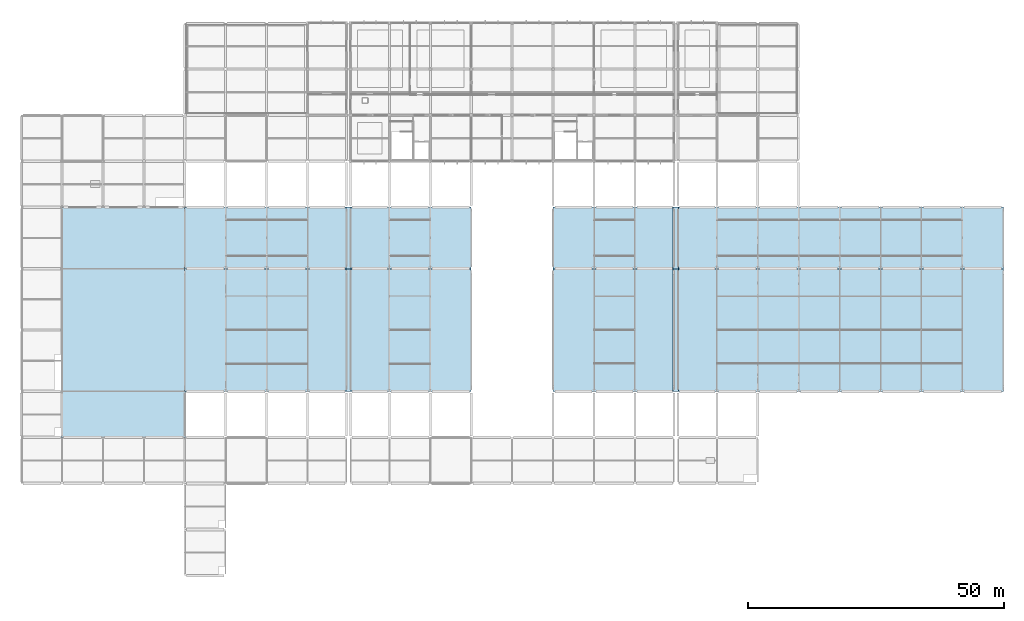
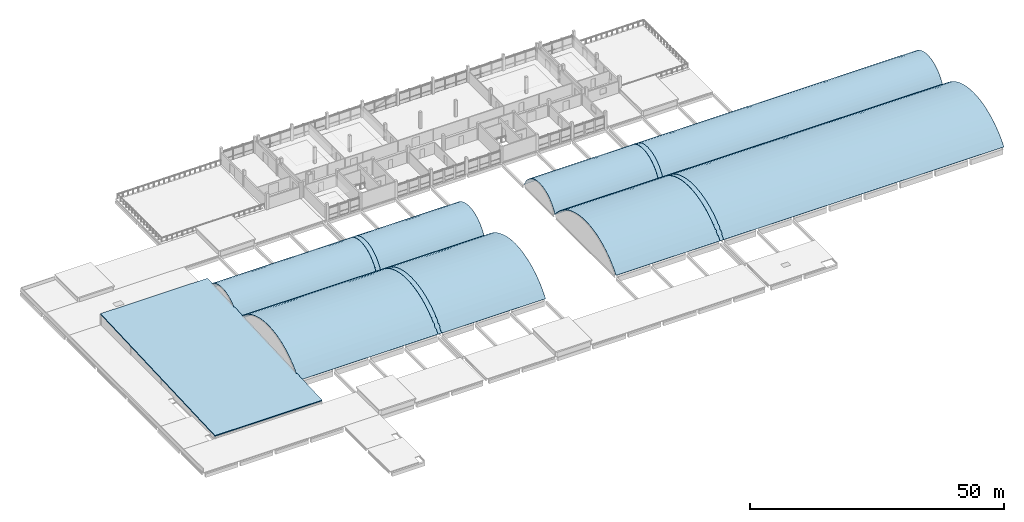
# One storey, part 55 of 57: 13 roofs.
"""IFC4 building model written with IfcOpenShell, lengths in metres."""

import ifcopenshell
import ifcopenshell.guid

model = None  # the IFC model being written
_history = None  # IfcOwnerHistory: only IFC2X3 demands one
_inside = {}  # id of a spatial element -> (the spatial element, [elements in it])
_under = {}  # id of a project, library or spatial element -> (it, [spatial elements below it])
_declared = {}  # id of a project -> (the project, [libraries it declares])
_typed = {}  # id of a type object -> (the type object, [elements of that type])
_made_of = {}  # id of a material, layer set ... -> (it, [elements and type objects made of it])


def new_model(schema):
    """Start an empty IFC model of exactly this schema.

    Asked for "IFC4X3", IfcOpenShell would pick the latest addendum, in which some entities
    have other attributes; the version numbers below select the first issue.
    IFC2X3 requires an IfcOwnerHistory on every rooted entity: one is made here for all.
    """
    global model, _history
    if schema == "IFC4X3":
        model = ifcopenshell.file(schema_version=(4, 3, 0, 0))
    else:
        model = ifcopenshell.file(schema=schema)
    _inside.clear()
    _under.clear()
    _declared.clear()
    _typed.clear()
    _made_of.clear()
    _history = None
    if model.schema == "IFC2X3":
        org = make("IfcOrganization", Name="unknown")
        user = make(
            "IfcPersonAndOrganization",
            ThePerson=make("IfcPerson", FamilyName="unknown"),
            TheOrganization=org,
        )
        app = make(
            "IfcApplication",
            ApplicationDeveloper=org,
            Version="unknown",
            ApplicationFullName="unknown",
            ApplicationIdentifier="unknown",
        )
        _history = make(
            "IfcOwnerHistory",
            OwningUser=user,
            OwningApplication=app,
            ChangeAction="ADDED",
            CreationDate=0,
        )
    return model


def make(cls, **values):
    """One entity of the class cls with the attributes given. An attribute that is None is left unset."""
    return model.create_entity(
        cls, **{name: value for name, value in values.items() if value is not None}
    )


def rooted(cls, **values):
    """An entity with a GlobalId (a new one), such as an element, a storey or a relation."""
    return make(cls, GlobalId=ifcopenshell.guid.new(), OwnerHistory=_history, **values)


def si_unit(unit_type, name, prefix=None):
    """IfcSIUnit, for example si_unit("LENGTHUNIT", "METRE", prefix="MILLI")."""
    return make("IfcSIUnit", UnitType=unit_type, Prefix=prefix, Name=name)


def assignment(units):
    """IfcUnitAssignment: the units of a project."""
    return None if units is None else make("IfcUnitAssignment", Units=units)


def point(xyz):
    """IfcCartesianPoint."""
    return None if xyz is None else make("IfcCartesianPoint", Coordinates=xyz)


def direction(xyz):
    """IfcDirection."""
    return None if xyz is None else make("IfcDirection", DirectionRatios=xyz)


def frame(location, z_axis=None, x_axis=None):
    """IfcAxis2Placement3D, a coordinate frame: its origin and axes. An axis left out is left unset."""
    return make(
        "IfcAxis2Placement3D",
        Location=point(location),
        Axis=direction(z_axis),
        RefDirection=direction(x_axis),
    )


def origin():
    """The frame at (0, 0, 0) with its axes left unset."""
    return frame((0.0, 0.0, 0.0))


def place(relative_to, where):
    """IfcLocalPlacement: puts the frame where relative to a parent placement (None: the world)."""
    return make(
        "IfcLocalPlacement", PlacementRelTo=relative_to, RelativePlacement=where
    )


def context(
    kind, dimensions, precision=None, world=None, true_north=None, identifier=None
):
    """IfcGeometricRepresentationContext, for example the 3D "Model" context."""
    return make(
        "IfcGeometricRepresentationContext",
        ContextIdentifier=identifier,
        ContextType=kind,
        CoordinateSpaceDimension=dimensions,
        Precision=precision,
        WorldCoordinateSystem=world,
        TrueNorth=true_north,
    )


def subcontext(parent, identifier, kind, view, scale=None):
    """IfcGeometricRepresentationSubContext, for example "Body" below "Model"."""
    return make(
        "IfcGeometricRepresentationSubContext",
        ContextIdentifier=identifier,
        ContextType=kind,
        ParentContext=parent,
        TargetScale=scale,
        TargetView=view,
    )


def project(units=None, contexts=None):
    """IfcProject with its units and contexts."""
    return rooted(
        "IfcProject",
        Name="project",
        RepresentationContexts=contexts,
        UnitsInContext=assignment(units),
    )


def spatial(cls, under=None, at=None, **own):
    """A site, building, storey or space (cls), placed at a placement, below another one or the project."""
    s = rooted(cls, ObjectPlacement=at, **own)
    if under is not None:
        _under.setdefault(under.id(), (under, []))[1].append(s)
    return s


def polyline(points):
    """IfcPolyline through the points."""
    return make("IfcPolyline", Points=[point(p) for p in points])


def outline(outer, holes=None, kind="AREA"):
    """IfcArbitraryClosedProfileDef: a profile drawn as a closed curve; with holes, ...WithVoids."""
    if holes is None:
        return make("IfcArbitraryClosedProfileDef", ProfileType=kind, OuterCurve=outer)
    return make(
        "IfcArbitraryProfileDefWithVoids",
        ProfileType=kind,
        OuterCurve=outer,
        InnerCurves=holes,
    )


def extrude(swept, where, along, depth):
    """IfcExtrudedAreaSolid: the profile swept, set in the frame where, extruded along a direction by depth."""
    return make(
        "IfcExtrudedAreaSolid",
        SweptArea=swept,
        Position=where,
        ExtrudedDirection=direction(along),
        Depth=depth,
    )


def shape(context_of_items, identifier, shape_type, items):
    """IfcShapeRepresentation: the items that make up one representation, for example the "Body"."""
    return make(
        "IfcShapeRepresentation",
        ContextOfItems=context_of_items,
        RepresentationIdentifier=identifier,
        RepresentationType=shape_type,
        Items=items,
    )


def material(Name=None, Category=None):
    """IfcMaterial."""
    return make("IfcMaterial", Name=Name, Category=Category)


def layer(
    of_material, thickness, ventilated=None, Name=None, Category=None, Priority=None
):
    """IfcMaterialLayer: one layer of a wall or slab, of a material (None: an air gap)."""
    return make(
        "IfcMaterialLayer",
        Material=of_material,
        LayerThickness=thickness,
        IsVentilated=ventilated,
        Name=Name,
        Category=Category,
        Priority=Priority,
    )


def layer_set(layers, Name=None):
    """IfcMaterialLayerSet."""
    return make("IfcMaterialLayerSet", MaterialLayers=layers, LayerSetName=Name)


def made_of(thing, what):
    """Note that an element or type object is made of a material, layer set ...; save() writes the relation."""
    if what is not None:
        _made_of.setdefault(what.id(), (what, []))[1].append(thing)
    return thing


def type_object(cls, material=None, **own):
    """A type object (cls), such as IfcWallType, which elements share."""
    return made_of(rooted(cls, **own), material)


def element(
    cls,
    number,
    at=None,
    inside=None,
    cuts=None,
    type_object=None,
    material=None,
    context=None,
    identifier="Body",
    shape_type=None,
    held_by="IfcProductDefinitionShape",
    body=None,
    shapes=None,
    **own,
):
    """One element of the class cls, such as IfcWall. Its Tag is "e" and its number.

    at: its placement. inside: the storey or other place that contains it. cuts: it is an
    opening in that element (IfcRelVoidsElement). A single representation is given by context,
    identifier, shape_type and body (its items); several are given by shapes. held_by: the class
    of the entity that holds the representations. save() writes the other relations.
    """
    e = rooted(cls, Tag="e%d" % number, ObjectPlacement=at, **own)
    if body is not None:
        shapes = [shape(context, identifier, shape_type, body)]
    if shapes is not None:
        e.Representation = make(held_by, Representations=shapes)
    if inside is not None:
        _inside.setdefault(inside.id(), (inside, []))[1].append(e)
    if cuts is not None:
        rooted(
            "IfcRelVoidsElement", RelatingBuildingElement=cuts, RelatedOpeningElement=e
        )
    if type_object is not None:
        _typed.setdefault(type_object.id(), (type_object, []))[1].append(e)
    return made_of(e, material)


def aggregate(whole, parts):
    """IfcRelAggregates: a whole, such as a stair, and the parts it consists of."""
    return rooted("IfcRelAggregates", RelatingObject=whole, RelatedObjects=parts)


def save(model, path):
    """Write the relations noted so far, then the file.

    IfcRelAggregates (storeys below a building ...), IfcRelContainedInSpatialStructure (elements
    in a storey), IfcRelDefinesByType, IfcRelAssociatesMaterial and IfcRelDeclares: one each for
    every whole, place, type object, material and project.
    """
    for whole, parts in _under.values():
        aggregate(whole, parts)
    for where, things in _inside.values():
        rooted(
            "IfcRelContainedInSpatialStructure",
            RelatedElements=things,
            RelatingStructure=where,
        )
    for kind, things in _typed.values():
        rooted("IfcRelDefinesByType", RelatedObjects=things, RelatingType=kind)
    for what, things in _made_of.values():
        rooted("IfcRelAssociatesMaterial", RelatedObjects=things, RelatingMaterial=what)
    for by, libraries in _declared.values():
        rooted("IfcRelDeclares", RelatingContext=by, RelatedDefinitions=libraries)
    model.write(path)


model = new_model("IFC4")

# Units and contexts
model_context = context("Model", 3, precision=1e-05, world=origin(), true_north=direction((0.0, 1.0)))
body_context = subcontext(model_context, "Body", "Model", "MODEL_VIEW")
ifc_project = project(units=[si_unit("LENGTHUNIT", "METRE"), si_unit("AREAUNIT", "SQUARE_METRE"), si_unit("VOLUMEUNIT", "CUBIC_METRE"), si_unit("PLANEANGLEUNIT", "RADIAN"), si_unit("MASSUNIT", "GRAM", prefix="KILO"), si_unit("THERMODYNAMICTEMPERATUREUNIT", "KELVIN"), si_unit("POWERUNIT", "WATT")], contexts=[model_context])

# Site, building, storey
site_placement = place(None, origin())
site = spatial("IfcSite", under=ifc_project, at=site_placement, CompositionType="ELEMENT")
building_placement = place(site_placement, origin())
building = spatial("IfcBuilding", under=site, at=building_placement, Name="Kronsvod Quay Wholesale Market", CompositionType="ELEMENT")
storey_placement = place(building_placement, frame((0.0, 0.0, 13.199951171875)))
storey = spatial("IfcBuildingStorey", under=building, at=storey_placement, Name="L03", CompositionType="ELEMENT", Elevation=13.199951171875)

# Roofs
ifc_material_1 = material(Name="Precast concrete C40/50", Category="concrete")
ifc_layer_1 = layer(ifc_material_1, 0.239990234375)
ifc_layer_set_1 = layer_set([ifc_layer_1], Name="Precast concrete C40/50")
roof_type_1 = type_object("IfcRoofType", Name="Roof_AuctionShed240", PredefinedType="SHED_ROOF", material=ifc_layer_set_1)
roof_1_placement = place(storey_placement, frame((7.85009765625, 45.0, 0.719970703125), z_axis=(0.0, -0.043735238884, 0.999043156665), x_axis=(1.0, 0.0, 0.0)))
element("IfcRoof", 1, at=roof_1_placement, inside=storey, type_object=roof_type_1, Name="SH-AUC-SHED", PredefinedType="SHED_ROOF", context=body_context, shape_type="SweptSolid", body=[
    extrude(outline(polyline([(0.0, 0.0), (24.2998046875, 0.0), (24.2998046875, 45.043099189233985), (0.0, 45.043099189233985), (0.0, 0.0)])), origin(), (0.0, 0.0, -1.0), 0.239990234375),
])
ifc_material_2 = material(Name="Precast concrete C40/50", Category="concrete")
ifc_layer_2 = layer(ifc_material_2, 0.06494140625)
ifc_layer_set_2 = layer_set([ifc_layer_2], Name="Precast concrete C40/50")
roof_type_2 = type_object("IfcRoofType", Name="Roof_BarrelJoint65", PredefinedType="BARREL_ROOF", material=ifc_layer_set_2)
roof_2_placement = place(storey_placement, frame((63.47998046875, 66.0, 0.02001953125), z_axis=(1.0, 0.0, 0.0), x_axis=(0.0, 1.0, 0.0)))
element("IfcRoof", 2, at=roof_2_placement, inside=storey, type_object=roof_type_2, Name="SH-MJ-1M", PredefinedType="BARREL_ROOF", context=body_context, shape_type="SweptSolid", body=[
    extrude(outline(polyline([(-12.0, 0.0), (-11.117919921875, 1.0771484375), (-10.1396484375, 2.06787109375), (-9.073486328125, 2.963134765625), (-7.928466796875, 3.75537109375), (-6.71484375, 4.437744140625), (-5.443115234375, 5.00439453125), (-4.124267578125, 5.4501953125), (-2.76953125, 5.771240234375), (-1.390869140625, 5.965087890625), (0.0, 6.030029296875), (1.390869140625, 5.965087890625), (2.76953125, 5.771240234375), (4.124267578125, 5.4501953125), (5.443115234375, 5.00439453125), (6.71484375, 4.437744140625), (7.928466796875, 3.75537109375), (9.073486328125, 2.963134765625), (10.1396484375, 2.06787109375), (11.117919921875, 1.0771484375), (12.0, 0.0), (12.05224609375, 0.06494140625), (11.166259765625, 1.120849609375), (10.18359375, 2.11572265625), (9.11279296875, 3.014892578125), (7.962890625, 3.810546875), (6.744140625, 4.495849609375), (5.466796875, 5.06494140625), (4.14208984375, 5.5126953125), (2.781494140625, 5.835205078125), (1.396728515625, 6.030029296875), (0.0, 6.094970703125), (-1.396728515625, 6.030029296875), (-2.781494140625, 5.835205078125), (-4.14208984375, 5.5126953125), (-5.466796875, 5.06494140625), (-6.744140625, 4.495849609375), (-7.962890625, 3.810546875), (-9.11279296875, 3.014892578125), (-10.18359375, 2.11572265625), (-11.166259765625, 1.120849609375), (-12.05224609375, 0.06494140625), (-12.0, 0.0)])), origin(), (0.0, 0.0, 1.0), 1.0400390625),
])
roof_3_placement = place(storey_placement, frame((63.47998046875, 84.0, 0.02001953125), z_axis=(1.0, 0.0, 0.0), x_axis=(0.0, 1.0, 0.0)))
element("IfcRoof", 3, at=roof_3_placement, inside=storey, type_object=roof_type_2, Name="SH-MJ-1N", PredefinedType="BARREL_ROOF", context=body_context, shape_type="SweptSolid", body=[
    extrude(outline(polyline([(-6.0, 0.0), (-5.668701171875, 0.69091796875), (-5.25830078125, 1.337890625), (-4.7744140625, 1.93212890625), (-4.2236328125, 2.46484375), (-3.614013671875, 2.928955078125), (-2.95361328125, 3.31787109375), (-2.252197265625, 3.626220703125), (-1.51904296875, 3.849365234375), (-0.764892578125, 3.984619140625), (0.0, 4.030029296875), (0.764892578125, 3.984619140625), (1.51904296875, 3.849365234375), (2.252197265625, 3.626220703125), (2.95361328125, 3.31787109375), (3.614013671875, 2.928955078125), (4.2236328125, 2.46484375), (4.7744140625, 1.93212890625), (5.25830078125, 1.337890625), (5.668701171875, 0.69091796875), (6.0, 0.0), (6.06005859375, 0.06494140625), (5.7255859375, 0.722412109375), (5.31103515625, 1.3759765625), (4.822265625, 1.97607421875), (4.265869140625, 2.51416015625), (3.650146484375, 2.98291015625), (2.9833984375, 3.375732421875), (2.274658203125, 3.68701171875), (1.534423828125, 3.91259765625), (0.772705078125, 4.04931640625), (0.0, 4.094970703125), (-0.772705078125, 4.04931640625), (-1.534423828125, 3.91259765625), (-2.274658203125, 3.68701171875), (-2.9833984375, 3.375732421875), (-3.650146484375, 2.98291015625), (-4.265869140625, 2.51416015625), (-4.822265625, 1.97607421875), (-5.31103515625, 1.3759765625), (-5.7255859375, 0.722412109375), (-6.06005859375, 0.06494140625), (-6.0, 0.0)])), origin(), (0.0, 0.0, 1.0), 1.0400390625),
])
roof_4_placement = place(storey_placement, frame((127.47998046875, 66.0, 0.02001953125), z_axis=(1.0, 0.0, 0.0), x_axis=(0.0, 1.0, 0.0)))
element("IfcRoof", 4, at=roof_4_placement, inside=storey, type_object=roof_type_2, Name="SH-MJ-2M", PredefinedType="BARREL_ROOF", context=body_context, shape_type="SweptSolid", body=[
    extrude(outline(polyline([(-12.0, 0.0), (-11.0986328125, 1.04541015625), (-10.106689453125, 2.005126953125), (-9.031982421875, 2.87109375), (-7.883544921875, 3.63671875), (-6.670654296875, 4.29541015625), (-5.403076171875, 4.841796875), (-4.091552734375, 5.271484375), (-2.746337890625, 5.580810546875), (-1.37890625, 5.767578125), (0.0, 5.830078125), (1.37890625, 5.767578125), (2.746337890625, 5.580810546875), (4.091552734375, 5.271484375), (5.403076171875, 4.841796875), (6.670654296875, 4.29541015625), (7.883544921875, 3.63671875), (9.031982421875, 2.87109375), (10.106689453125, 2.005126953125), (11.0986328125, 1.04541015625), (12.0, 0.0), (12.051025390625, 0.06494140625), (11.14599609375, 1.090087890625), (10.149658203125, 2.0537109375), (9.070556640625, 2.923583984375), (7.917236328125, 3.6923828125), (6.698974609375, 4.353759765625), (5.42626953125, 4.902587890625), (4.10888671875, 5.333984375), (2.758056640625, 5.644775390625), (1.384765625, 5.832275390625), (0.0, 5.89501953125), (-1.384765625, 5.832275390625), (-2.758056640625, 5.644775390625), (-4.10888671875, 5.333984375), (-5.42626953125, 4.902587890625), (-6.698974609375, 4.353759765625), (-7.917236328125, 3.6923828125), (-9.070556640625, 2.923583984375), (-10.149658203125, 2.0537109375), (-11.14599609375, 1.090087890625), (-12.051025390625, 0.06494140625), (-12.0, 0.0)])), origin(), (0.0, 0.0, 1.0), 1.0400390625),
])
roof_5_placement = place(storey_placement, frame((127.47998046875, 84.0, 0.02001953125), z_axis=(1.0, 0.0, 0.0), x_axis=(0.0, 1.0, 0.0)))
element("IfcRoof", 5, at=roof_5_placement, inside=storey, type_object=roof_type_2, Name="SH-MJ-2N", PredefinedType="BARREL_ROOF", context=body_context, shape_type="SweptSolid", body=[
    extrude(outline(polyline([(-6.0, 0.0), (-5.656982421875, 0.6767578125), (-5.238037109375, 1.309326171875), (-4.748779296875, 1.888916015625), (-4.19580078125, 2.408203125), (-3.586181640625, 2.860107421875), (-2.9287109375, 3.23828125), (-2.231689453125, 3.537841796875), (-1.504638671875, 3.754638671875), (-0.75732421875, 3.885986328125), (0.0, 3.929931640625), (0.75732421875, 3.885986328125), (1.504638671875, 3.754638671875), (2.231689453125, 3.537841796875), (2.9287109375, 3.23828125), (3.586181640625, 2.860107421875), (4.19580078125, 2.408203125), (4.748779296875, 1.888916015625), (5.238037109375, 1.309326171875), (5.656982421875, 0.6767578125), (6.0, 0.0), (6.0595703125, 0.06494140625), (5.71337890625, 0.70947265625), (5.290283203125, 1.34814453125), (4.7958984375, 1.933837890625), (4.2373046875, 2.458251953125), (3.621826171875, 2.914306640625), (2.957763671875, 3.29638671875), (2.253662109375, 3.598876953125), (1.51953125, 3.81787109375), (0.764892578125, 3.95068359375), (0.0, 3.9951171875), (-0.764892578125, 3.95068359375), (-1.51953125, 3.81787109375), (-2.253662109375, 3.598876953125), (-2.957763671875, 3.29638671875), (-3.621826171875, 2.914306640625), (-4.2373046875, 2.458251953125), (-4.7958984375, 1.933837890625), (-5.290283203125, 1.34814453125), (-5.71337890625, 0.70947265625), (-6.0595703125, 0.06494140625), (-6.0, 0.0)])), origin(), (0.0, 0.0, 1.0), 1.0400390625),
])
ifc_material_3 = material(Name="Precast concrete C40/50", Category="concrete")
ifc_layer_3 = layer(ifc_material_3, 0.074951171875)
ifc_layer_set_3 = layer_set([ifc_layer_3], Name="Precast concrete C40/50")
roof_type_3 = type_object("IfcRoofType", Name="Roof_BarrelShell75", PredefinedType="BARREL_ROOF", material=ifc_layer_set_3)
roof_6_placement = place(storey_placement, frame((32.0, 84.0, 0.0), z_axis=(1.0, 0.0, 0.0), x_axis=(0.0, 1.0, 0.0)))
element("IfcRoof", 6, at=roof_6_placement, inside=storey, type_object=roof_type_3, Name="SH-V1W-N", PredefinedType="BARREL_ROOF", context=body_context, shape_type="SweptSolid", body=[
    extrude(outline(polyline([(-6.0, 0.0), (-5.7265625, 0.574951171875), (-5.398193359375, 1.12060546875), (-5.01806640625, 1.63134765625), (-4.58984375, 2.1025390625), (-4.117431640625, 2.529541015625), (-3.60546875, 2.908447265625), (-3.05908203125, 3.235107421875), (-2.483154296875, 3.5068359375), (-1.883544921875, 3.72119140625), (-1.265869140625, 3.87548828125), (-0.635986328125, 3.96875), (0.0, 4.0), (0.635986328125, 3.96875), (1.265869140625, 3.87548828125), (1.883544921875, 3.72119140625), (2.483154296875, 3.5068359375), (3.05908203125, 3.235107421875), (3.60546875, 2.908447265625), (4.117431640625, 2.529541015625), (4.58984375, 2.1025390625), (5.01806640625, 1.63134765625), (5.398193359375, 1.12060546875), (5.7265625, 0.574951171875), (6.0, 0.0), (6.0693359375, 0.074951171875), (5.792724609375, 0.610595703125), (5.46044921875, 1.162353515625), (5.075927734375, 1.67919921875), (4.642822265625, 2.15576171875), (4.1650390625, 2.587646484375), (3.647216796875, 2.970703125), (3.094482421875, 3.30126953125), (2.511962890625, 3.576171875), (1.9052734375, 3.79296875), (1.280517578125, 3.94921875), (0.643310546875, 4.04345703125), (0.0, 4.074951171875), (-0.643310546875, 4.04345703125), (-1.280517578125, 3.94921875), (-1.9052734375, 3.79296875), (-2.511962890625, 3.576171875), (-3.094482421875, 3.30126953125), (-3.647216796875, 2.970703125), (-4.1650390625, 2.587646484375), (-4.642822265625, 2.15576171875), (-5.075927734375, 1.67919921875), (-5.46044921875, 1.162353515625), (-5.792724609375, 0.610595703125), (-6.0693359375, 0.074951171875), (-6.0, 0.0)])), origin(), (0.0, 0.0, 1.0), 31.60009765625),
])
roof_7_placement = place(storey_placement, frame((64.39990234375, 84.0, 0.0), z_axis=(1.0, 0.0, 0.0), x_axis=(0.0, 1.0, 0.0)))
element("IfcRoof", 7, at=roof_7_placement, inside=storey, type_object=roof_type_3, Name="SH-V1C-N", PredefinedType="BARREL_ROOF", context=body_context, shape_type="SweptSolid", body=[
    extrude(outline(polyline([(-6.0, 0.0), (-5.7265625, 0.574951171875), (-5.398193359375, 1.12060546875), (-5.01806640625, 1.63134765625), (-4.58984375, 2.1025390625), (-4.117431640625, 2.529541015625), (-3.60546875, 2.908447265625), (-3.05908203125, 3.235107421875), (-2.483154296875, 3.5068359375), (-1.883544921875, 3.72119140625), (-1.265869140625, 3.87548828125), (-0.635986328125, 3.96875), (0.0, 4.0), (0.635986328125, 3.96875), (1.265869140625, 3.87548828125), (1.883544921875, 3.72119140625), (2.483154296875, 3.5068359375), (3.05908203125, 3.235107421875), (3.60546875, 2.908447265625), (4.117431640625, 2.529541015625), (4.58984375, 2.1025390625), (5.01806640625, 1.63134765625), (5.398193359375, 1.12060546875), (5.7265625, 0.574951171875), (6.0, 0.0), (6.0693359375, 0.074951171875), (5.792724609375, 0.610595703125), (5.46044921875, 1.162353515625), (5.075927734375, 1.67919921875), (4.642822265625, 2.15576171875), (4.1650390625, 2.587646484375), (3.647216796875, 2.970703125), (3.094482421875, 3.30126953125), (2.511962890625, 3.576171875), (1.9052734375, 3.79296875), (1.280517578125, 3.94921875), (0.643310546875, 4.04345703125), (0.0, 4.074951171875), (-0.643310546875, 4.04345703125), (-1.280517578125, 3.94921875), (-1.9052734375, 3.79296875), (-2.511962890625, 3.576171875), (-3.094482421875, 3.30126953125), (-3.647216796875, 2.970703125), (-4.1650390625, 2.587646484375), (-4.642822265625, 2.15576171875), (-5.075927734375, 1.67919921875), (-5.46044921875, 1.162353515625), (-5.792724609375, 0.610595703125), (-6.0693359375, 0.074951171875), (-6.0, 0.0)])), origin(), (0.0, 0.0, 1.0), 23.60009765625),
])
roof_8_placement = place(storey_placement, frame((104.0, 84.0, 0.0), z_axis=(1.0, 0.0, 0.0), x_axis=(0.0, 1.0, 0.0)))
element("IfcRoof", 8, at=roof_8_placement, inside=storey, type_object=roof_type_3, Name="SH-V2C-N", PredefinedType="BARREL_ROOF", context=body_context, shape_type="SweptSolid", body=[
    extrude(outline(polyline([(-6.0, 0.0), (-5.716796875, 0.563232421875), (-5.380615234375, 1.0966796875), (-4.9951171875, 1.595458984375), (-4.563232421875, 2.054931640625), (-4.089599609375, 2.470703125), (-3.578125, 2.83935546875), (-3.03369140625, 3.1572265625), (-2.461181640625, 3.421142578125), (-1.865966796875, 3.629150390625), (-1.253662109375, 3.779296875), (-0.629638671875, 3.86962890625), (0.0, 3.89990234375), (0.629638671875, 3.86962890625), (1.253662109375, 3.779296875), (1.865966796875, 3.629150390625), (2.461181640625, 3.421142578125), (3.03369140625, 3.1572265625), (3.578125, 2.83935546875), (4.089599609375, 2.470703125), (4.563232421875, 2.054931640625), (4.9951171875, 1.595458984375), (5.380615234375, 1.0966796875), (5.716796875, 0.563232421875), (6.0, 0.0), (6.068603515625, 0.074951171875), (5.781982421875, 0.60009765625), (5.442138671875, 1.1396484375), (5.052001953125, 1.64404296875), (4.615478515625, 2.108642578125), (4.13623046875, 2.529541015625), (3.618896484375, 2.902099609375), (3.068115234375, 3.2236328125), (2.4892578125, 3.49072265625), (1.88720703125, 3.701171875), (1.26806640625, 3.852783203125), (0.636962890625, 3.9443359375), (0.0, 3.97509765625), (-0.636962890625, 3.9443359375), (-1.26806640625, 3.852783203125), (-1.88720703125, 3.701171875), (-2.4892578125, 3.49072265625), (-3.068115234375, 3.2236328125), (-3.618896484375, 2.902099609375), (-4.13623046875, 2.529541015625), (-4.615478515625, 2.108642578125), (-5.052001953125, 1.64404296875), (-5.442138671875, 1.1396484375), (-5.781982421875, 0.60009765625), (-6.068603515625, 0.074951171875), (-6.0, 0.0)])), origin(), (0.0, 0.0, 1.0), 23.60009765625),
])
roof_9_placement = place(storey_placement, frame((128.39990234375, 84.0, 0.0), z_axis=(1.0, 0.0, 0.0), x_axis=(0.0, 1.0, 0.0)))
element("IfcRoof", 9, at=roof_9_placement, inside=storey, type_object=roof_type_3, Name="SH-V2E-N", PredefinedType="BARREL_ROOF", context=body_context, shape_type="SweptSolid", body=[
    extrude(outline(polyline([(-6.0, 0.0), (-5.716796875, 0.563232421875), (-5.380615234375, 1.0966796875), (-4.9951171875, 1.595458984375), (-4.563232421875, 2.054931640625), (-4.089599609375, 2.470703125), (-3.578125, 2.83935546875), (-3.03369140625, 3.1572265625), (-2.461181640625, 3.421142578125), (-1.865966796875, 3.629150390625), (-1.253662109375, 3.779296875), (-0.629638671875, 3.86962890625), (0.0, 3.89990234375), (0.629638671875, 3.86962890625), (1.253662109375, 3.779296875), (1.865966796875, 3.629150390625), (2.461181640625, 3.421142578125), (3.03369140625, 3.1572265625), (3.578125, 2.83935546875), (4.089599609375, 2.470703125), (4.563232421875, 2.054931640625), (4.9951171875, 1.595458984375), (5.380615234375, 1.0966796875), (5.716796875, 0.563232421875), (6.0, 0.0), (6.068603515625, 0.074951171875), (5.781982421875, 0.60009765625), (5.442138671875, 1.1396484375), (5.052001953125, 1.64404296875), (4.615478515625, 2.108642578125), (4.13623046875, 2.529541015625), (3.618896484375, 2.902099609375), (3.068115234375, 3.2236328125), (2.4892578125, 3.49072265625), (1.88720703125, 3.701171875), (1.26806640625, 3.852783203125), (0.636962890625, 3.9443359375), (0.0, 3.97509765625), (-0.636962890625, 3.9443359375), (-1.26806640625, 3.852783203125), (-1.88720703125, 3.701171875), (-2.4892578125, 3.49072265625), (-3.068115234375, 3.2236328125), (-3.618896484375, 2.902099609375), (-4.13623046875, 2.529541015625), (-4.615478515625, 2.108642578125), (-5.052001953125, 1.64404296875), (-5.442138671875, 1.1396484375), (-5.781982421875, 0.60009765625), (-6.068603515625, 0.074951171875), (-6.0, 0.0)])), origin(), (0.0, 0.0, 1.0), 63.60009765625),
])
ifc_material_4 = material(Name="Precast concrete C40/50", Category="concrete")
ifc_layer_4 = layer(ifc_material_4, 0.080078125)
ifc_layer_set_4 = layer_set([ifc_layer_4], Name="Precast concrete C40/50")
roof_type_4 = type_object("IfcRoofType", Name="Roof_BarrelShell80", PredefinedType="BARREL_ROOF", material=ifc_layer_set_4)
roof_10_placement = place(storey_placement, frame((32.0, 66.0, 0.0), z_axis=(1.0, 0.0, 0.0), x_axis=(0.0, 1.0, 0.0)))
element("IfcRoof", 10, at=roof_10_placement, inside=storey, type_object=roof_type_4, Name="SH-V1W-M", PredefinedType="BARREL_ROOF", context=body_context, shape_type="SweptSolid", body=[
    extrude(outline(polyline([(-12.0, 0.0), (-11.26953125, 0.8994140625), (-10.4716796875, 1.739990234375), (-9.611328125, 2.516357421875), (-8.693603515625, 3.223876953125), (-7.723876953125, 3.8583984375), (-6.708251953125, 4.41650390625), (-5.652587890625, 4.894287109375), (-4.56298828125, 5.2890625), (-3.4462890625, 5.5986328125), (-2.30908203125, 5.8212890625), (-1.157958984375, 5.955322265625), (0.0, 6.0), (1.157958984375, 5.955322265625), (2.30908203125, 5.8212890625), (3.4462890625, 5.5986328125), (4.56298828125, 5.2890625), (5.652587890625, 4.894287109375), (6.708251953125, 4.41650390625), (7.723876953125, 3.8583984375), (8.693603515625, 3.223876953125), (9.611328125, 2.516357421875), (10.4716796875, 1.739990234375), (11.26953125, 0.8994140625), (12.0, 0.0), (12.06396484375, 0.080078125), (11.32958984375, 0.952392578125), (10.52734375, 1.797119140625), (9.662353515625, 2.57763671875), (8.73974609375, 3.2890625), (7.76513671875, 3.927001953125), (6.743896484375, 4.488037109375), (5.6826171875, 4.96826171875), (4.58740234375, 5.365234375), (3.464599609375, 5.676513671875), (2.3212890625, 5.900146484375), (1.1640625, 6.034912109375), (0.0, 6.080078125), (-1.1640625, 6.034912109375), (-2.3212890625, 5.900146484375), (-3.464599609375, 5.676513671875), (-4.58740234375, 5.365234375), (-5.6826171875, 4.96826171875), (-6.743896484375, 4.488037109375), (-7.76513671875, 3.927001953125), (-8.73974609375, 3.2890625), (-9.662353515625, 2.57763671875), (-10.52734375, 1.797119140625), (-11.32958984375, 0.952392578125), (-12.06396484375, 0.080078125), (-12.0, 0.0)])), origin(), (0.0, 0.0, 1.0), 31.60009765625),
])
roof_11_placement = place(storey_placement, frame((64.39990234375, 66.0, 0.0), z_axis=(1.0, 0.0, 0.0), x_axis=(0.0, 1.0, 0.0)))
element("IfcRoof", 11, at=roof_11_placement, inside=storey, type_object=roof_type_4, Name="SH-V1C-M", PredefinedType="BARREL_ROOF", context=body_context, shape_type="SweptSolid", body=[
    extrude(outline(polyline([(-12.0, 0.0), (-11.26953125, 0.8994140625), (-10.4716796875, 1.739990234375), (-9.611328125, 2.516357421875), (-8.693603515625, 3.223876953125), (-7.723876953125, 3.8583984375), (-6.708251953125, 4.41650390625), (-5.652587890625, 4.894287109375), (-4.56298828125, 5.2890625), (-3.4462890625, 5.5986328125), (-2.30908203125, 5.8212890625), (-1.157958984375, 5.955322265625), (0.0, 6.0), (1.157958984375, 5.955322265625), (2.30908203125, 5.8212890625), (3.4462890625, 5.5986328125), (4.56298828125, 5.2890625), (5.652587890625, 4.894287109375), (6.708251953125, 4.41650390625), (7.723876953125, 3.8583984375), (8.693603515625, 3.223876953125), (9.611328125, 2.516357421875), (10.4716796875, 1.739990234375), (11.26953125, 0.8994140625), (12.0, 0.0), (12.06396484375, 0.080078125), (11.32958984375, 0.952392578125), (10.52734375, 1.797119140625), (9.662353515625, 2.57763671875), (8.73974609375, 3.2890625), (7.76513671875, 3.927001953125), (6.743896484375, 4.488037109375), (5.6826171875, 4.96826171875), (4.58740234375, 5.365234375), (3.464599609375, 5.676513671875), (2.3212890625, 5.900146484375), (1.1640625, 6.034912109375), (0.0, 6.080078125), (-1.1640625, 6.034912109375), (-2.3212890625, 5.900146484375), (-3.464599609375, 5.676513671875), (-4.58740234375, 5.365234375), (-5.6826171875, 4.96826171875), (-6.743896484375, 4.488037109375), (-7.76513671875, 3.927001953125), (-8.73974609375, 3.2890625), (-9.662353515625, 2.57763671875), (-10.52734375, 1.797119140625), (-11.32958984375, 0.952392578125), (-12.06396484375, 0.080078125), (-12.0, 0.0)])), origin(), (0.0, 0.0, 1.0), 23.60009765625),
])
roof_12_placement = place(storey_placement, frame((104.0, 66.0, 0.0), z_axis=(1.0, 0.0, 0.0), x_axis=(0.0, 1.0, 0.0)))
element("IfcRoof", 12, at=roof_12_placement, inside=storey, type_object=roof_type_4, Name="SH-V2C-M", PredefinedType="BARREL_ROOF", context=body_context, shape_type="SweptSolid", body=[
    extrude(outline(polyline([(-12.0, 0.0), (-11.2529296875, 0.872802734375), (-10.442626953125, 1.687255859375), (-9.573486328125, 2.4384765625), (-8.650634765625, 3.12255859375), (-7.678955078125, 3.735595703125), (-6.6640625, 4.27392578125), (-5.61181640625, 4.73486328125), (-4.52783203125, 5.115234375), (-3.418212890625, 5.41357421875), (-2.28955078125, 5.6279296875), (-1.14794921875, 5.7568359375), (0.0, 5.800048828125), (1.14794921875, 5.7568359375), (2.28955078125, 5.6279296875), (3.418212890625, 5.41357421875), (4.52783203125, 5.115234375), (5.61181640625, 4.73486328125), (6.6640625, 4.27392578125), (7.678955078125, 3.735595703125), (8.650634765625, 3.12255859375), (9.573486328125, 2.4384765625), (10.442626953125, 1.687255859375), (11.2529296875, 0.872802734375), (12.0, 0.0), (12.062744140625, 0.080078125), (11.311767578125, 0.927001953125), (10.497314453125, 1.745849609375), (9.62353515625, 2.5009765625), (8.69580078125, 3.188720703125), (7.718994140625, 3.8046875), (6.698974609375, 4.345947265625), (5.64111328125, 4.80908203125), (4.55126953125, 5.19189453125), (3.43603515625, 5.49169921875), (2.301513671875, 5.70703125), (1.154052734375, 5.836669921875), (0.0, 5.8798828125), (-1.154052734375, 5.836669921875), (-2.301513671875, 5.70703125), (-3.43603515625, 5.49169921875), (-4.55126953125, 5.19189453125), (-5.64111328125, 4.80908203125), (-6.698974609375, 4.345947265625), (-7.718994140625, 3.8046875), (-8.69580078125, 3.188720703125), (-9.62353515625, 2.5009765625), (-10.497314453125, 1.745849609375), (-11.311767578125, 0.927001953125), (-12.062744140625, 0.080078125), (-12.0, 0.0)])), origin(), (0.0, 0.0, 1.0), 23.60009765625),
])
roof_13_placement = place(storey_placement, frame((128.39990234375, 66.0, 0.0), z_axis=(1.0, 0.0, 0.0), x_axis=(0.0, 1.0, 0.0)))
element("IfcRoof", 13, at=roof_13_placement, inside=storey, type_object=roof_type_4, Name="SH-V2E-M", PredefinedType="BARREL_ROOF", context=body_context, shape_type="SweptSolid", body=[
    extrude(outline(polyline([(-12.0, 0.0), (-11.2529296875, 0.872802734375), (-10.442626953125, 1.687255859375), (-9.573486328125, 2.4384765625), (-8.650634765625, 3.12255859375), (-7.678955078125, 3.735595703125), (-6.6640625, 4.27392578125), (-5.61181640625, 4.73486328125), (-4.52783203125, 5.115234375), (-3.418212890625, 5.41357421875), (-2.28955078125, 5.6279296875), (-1.14794921875, 5.7568359375), (0.0, 5.800048828125), (1.14794921875, 5.7568359375), (2.28955078125, 5.6279296875), (3.418212890625, 5.41357421875), (4.52783203125, 5.115234375), (5.61181640625, 4.73486328125), (6.6640625, 4.27392578125), (7.678955078125, 3.735595703125), (8.650634765625, 3.12255859375), (9.573486328125, 2.4384765625), (10.442626953125, 1.687255859375), (11.2529296875, 0.872802734375), (12.0, 0.0), (12.062744140625, 0.080078125), (11.311767578125, 0.927001953125), (10.497314453125, 1.745849609375), (9.62353515625, 2.5009765625), (8.69580078125, 3.188720703125), (7.718994140625, 3.8046875), (6.698974609375, 4.345947265625), (5.64111328125, 4.80908203125), (4.55126953125, 5.19189453125), (3.43603515625, 5.49169921875), (2.301513671875, 5.70703125), (1.154052734375, 5.836669921875), (0.0, 5.8798828125), (-1.154052734375, 5.836669921875), (-2.301513671875, 5.70703125), (-3.43603515625, 5.49169921875), (-4.55126953125, 5.19189453125), (-5.64111328125, 4.80908203125), (-6.698974609375, 4.345947265625), (-7.718994140625, 3.8046875), (-8.69580078125, 3.188720703125), (-9.62353515625, 2.5009765625), (-10.497314453125, 1.745849609375), (-11.311767578125, 0.927001953125), (-12.062744140625, 0.080078125), (-12.0, 0.0)])), origin(), (0.0, 0.0, 1.0), 63.60009765625),
])

save(model, "model.ifc")
